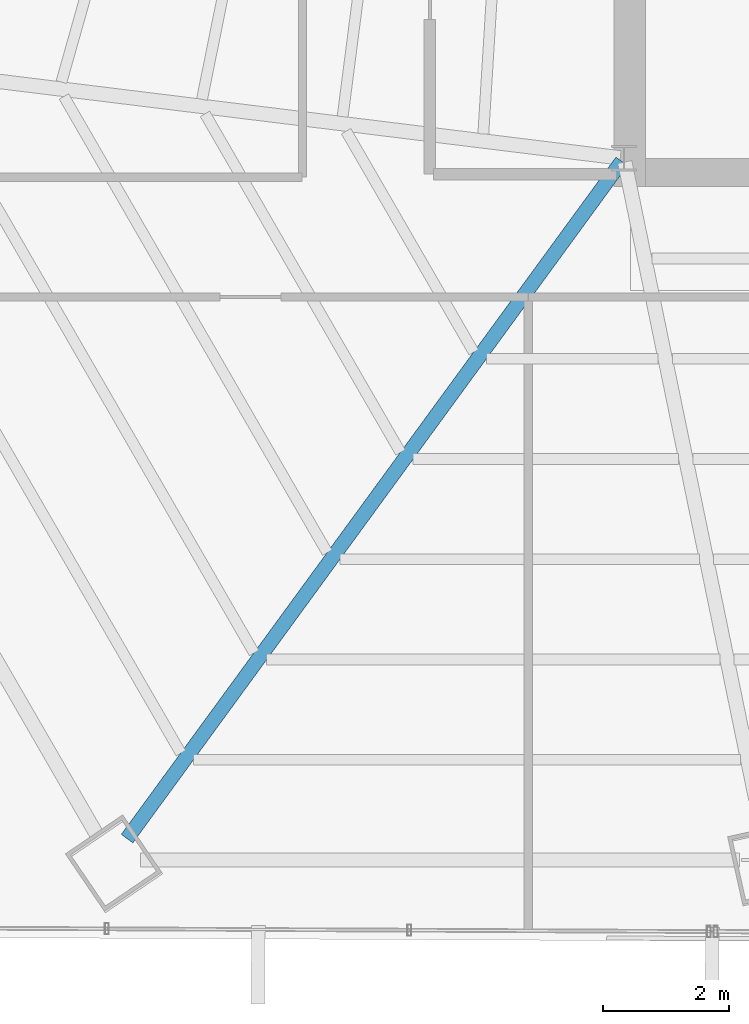
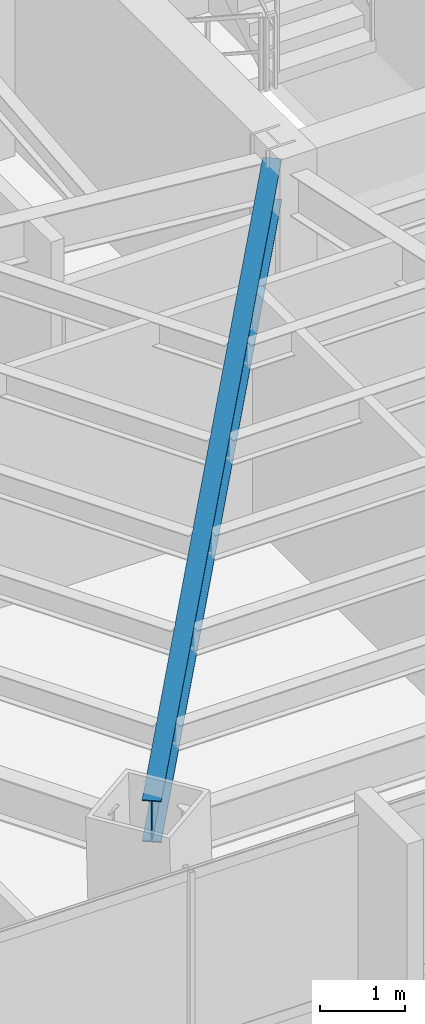
# One storey, part 5 of 35: 1 beam.
"""IFC4 building model written with IfcOpenShell, lengths in metres."""

from ifc_helpers import new_model, si_unit, direction, frame, origin, origin_2d, place, context, subcontext, project, spatial, i_section, extrude, source, transform, mapped, material, material_profile, profile_set, type_object, type_shapes, element, save


model = new_model("IFC4")

# Units and contexts
model_context = context("Model", 3, precision=1e-05, world=origin(), true_north=direction((0.0, 1.0)))
body_context = subcontext(model_context, "Body", "Model", "MODEL_VIEW")
ifc_project = project(units=[si_unit("LENGTHUNIT", "METRE"), si_unit("AREAUNIT", "SQUARE_METRE"), si_unit("VOLUMEUNIT", "CUBIC_METRE"), si_unit("PLANEANGLEUNIT", "RADIAN"), si_unit("MASSUNIT", "GRAM", prefix="KILO")], contexts=[model_context])

# Site, building, storey
site_placement = place(None, origin())
site = spatial("IfcSite", under=ifc_project, at=site_placement, CompositionType="ELEMENT")
building_placement = place(site_placement, origin())
building = spatial("IfcBuilding", under=site, at=building_placement, Name="Caelisora Broadcast Tower", CompositionType="ELEMENT")
storey_placement = place(building_placement, frame((0.0, 0.0, 98.10009765625)))
storey = spatial("IfcBuildingStorey", under=building, at=storey_placement, Name="L25", CompositionType="ELEMENT", Elevation=98.10009765625)

# Beam
ifc_material = material(Name="Steel Grade 350 (AS/NZS 3679.1)", Category="steel")
ifc_material_profile = material_profile(ifc_material, i_section(OverallWidth=0.22802734375, OverallDepth=0.602294921875, WebThickness=0.010498046875, FlangeThickness=0.014892578125, at=origin_2d()), Name="Steel Grade 350 (AS/NZS 3679.1)")
ifc_profile_set = profile_set([ifc_material_profile], Name="Steel Grade 350 (AS/NZS 3679.1)")
beam_type = type_object("IfcBeamType", Name="PG04", PredefinedType="BEAM", material=ifc_profile_set)
shared_shape = source(origin(), body_context, "Body", "SweptSolid", [
    extrude(i_section(OverallWidth=0.22802734375, OverallDepth=0.602294921875, WebThickness=0.010498046875, FlangeThickness=0.014892578125, at=origin_2d()), origin(), (0.0, 0.0, 1.0), 13.3046875),
])
type_shapes(beam_type, [shared_shape])
beam_placement = place(storey_placement, frame((30.464599609375, 17.3515625, 3.098876953125), z_axis=(-0.589858312123, -0.807506762584, 0.0), x_axis=(0.807506762584, -0.589858312123, 0.0)))
element("IfcBeam", 1, at=beam_placement, inside=storey, type_object=beam_type, Name="L25 beam PG04", PredefinedType="BEAM", context=body_context, shape_type="MappedRepresentation", body=[
    mapped(shared_shape, transform((0.0, 0.0, 0.0), scale=1.0)),
])

save(model, "model.ifc")
